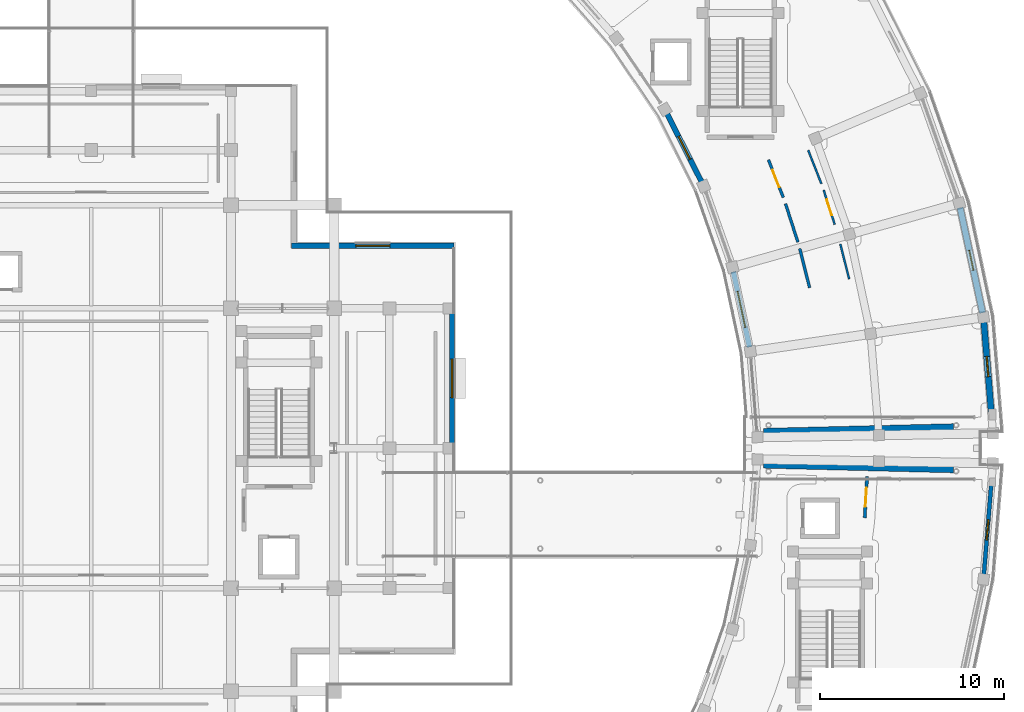
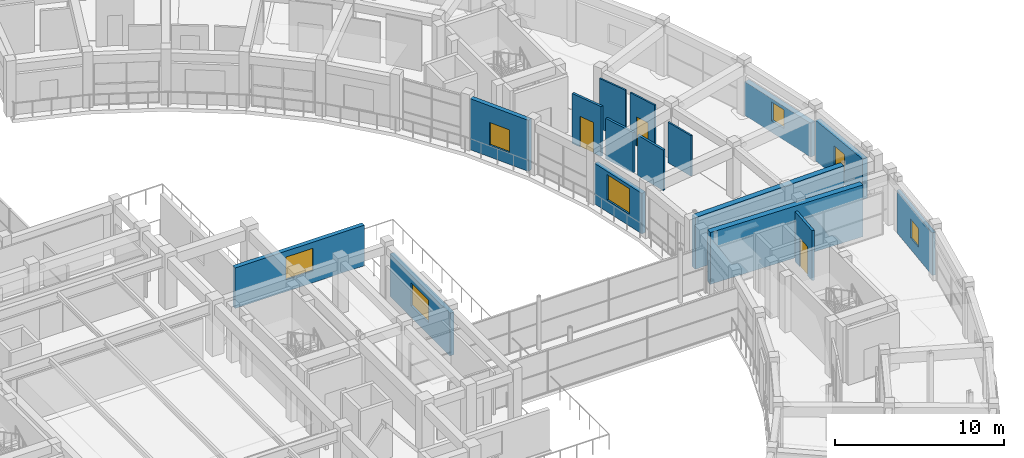
# One storey, part 51 of 72: 16 walls, 7 windows, 3 doors, 10 openings.
"""IFC4 building model written with IfcOpenShell, lengths in metres."""

from ifc_helpers import new_model, si_unit, direction, frame, frame_2d, origin, place, context, subcontext, project, spatial, rectangle, extrude, material, layer, layer_set, type_object, element, fill, save


model = new_model("IFC4")

# Units and contexts
model_context = context("Model", 3, precision=1e-05, world=origin(), true_north=direction((0.0, 1.0)))
body_context = subcontext(model_context, "Body", "Model", "MODEL_VIEW")
ifc_project = project(units=[si_unit("LENGTHUNIT", "METRE"), si_unit("AREAUNIT", "SQUARE_METRE"), si_unit("VOLUMEUNIT", "CUBIC_METRE"), si_unit("PLANEANGLEUNIT", "RADIAN"), si_unit("MASSUNIT", "GRAM", prefix="KILO")], contexts=[model_context])

# Site, building, storey
site_placement = place(None, origin())
site = spatial("IfcSite", under=ifc_project, at=site_placement, CompositionType="ELEMENT")
building_placement = place(site_placement, origin())
building = spatial("IfcBuilding", under=site, at=building_placement, Name="Saryqyr Civic Hall", CompositionType="ELEMENT")
storey_placement = place(building_placement, frame((0.0, 0.0, 17.25)))
storey = spatial("IfcBuildingStorey", under=building, at=storey_placement, Name="L04", CompositionType="ELEMENT", Elevation=17.25)

# Wall, opening, window
ifc_material_1 = material(Name="Precast concrete C40/50", Category="concrete")
ifc_layer_1 = layer(ifc_material_1, 0.219970703125, Name="Precast concrete C40/50")
ifc_layer_set_1 = layer_set([ifc_layer_1], Name="Precast concrete C40/50")
wall_type_1 = type_object("IfcWallType", Name="ENV-WAL-EXT-220", PredefinedType="STANDARD", material=ifc_layer_set_1)
wall_1_placement = place(storey_placement, frame((105.897705078125, 82.01171875, 0.0), z_axis=(0.0, 0.0, 1.0), x_axis=(-0.081149437974, -0.996701945777, 0.0)))
wall_1 = element("IfcWall", 1, at=wall_1_placement, inside=storey, type_object=wall_type_1, Name="Exterior wall V5-EWO-L04-09", PredefinedType="STANDARD", context=body_context, shape_type="SweptSolid", body=[
    extrude(rectangle(XDim=4.912841796875, YDim=0.219970703125, at=frame_2d((2.45654296875, 0.0))), origin(), (0.0, 0.0, 1.0), 3.0849609375),
])
opening_1_placement = place(wall_1_placement, frame((1.906005859375, 0.0, 0.85009765625)))
opening_1 = element("IfcOpeningElement", 2, at=opening_1_placement, cuts=wall_1, Name="Opening W-01", PredefinedType="OPENING", context=body_context, shape_type="SweptSolid", body=[
    extrude(rectangle(XDim=1.10009765625, YDim=1.35009765625, at=frame_2d((0.550048828125, 0.675048828125))), frame((0.0, 0.119873046875, 0.0), z_axis=(0.0, -1.0, 0.0), x_axis=(1.0, 0.0, 0.0)), (0.0, 0.0, 1.0), 0.239990234375),
])
ifc_material_2 = material(Name="Anodised aluminium and triple low-E glass", Category="aluminium")
window_type_1 = type_object("IfcWindowType", Name="ENV-WIN-W01", PartitioningType="SINGLE_PANEL", PredefinedType="WINDOW", material=ifc_material_2)
window_1_placement = place(opening_1_placement, origin())
window_1 = element("IfcWindow", 3, at=window_1_placement, inside=storey, type_object=window_type_1, Name="Exterior ribbon window V5-L04-09", OverallHeight=1.35009765625, OverallWidth=1.10009765625, PartitioningType="SINGLE_PANEL", PredefinedType="WINDOW", context=body_context, shape_type="SweptSolid", body=[
    extrude(rectangle(XDim=1.10009765625, YDim=1.35009765625, at=frame_2d((0.550048828125, 0.675048828125))), frame((0.0, 0.030029296875, 0.0), z_axis=(0.0, -1.0, 0.0), x_axis=(1.0, 0.0, 0.0)), (0.0, 0.0, 1.0), 0.06005859375),
])
fill(opening_1, window_1)

ifc_layer_2 = layer(ifc_material_1, 0.2900390625, Name="Precast concrete C40/50")
ifc_layer_set_2 = layer_set([ifc_layer_2], Name="Precast concrete C40/50")
wall_type_2 = type_object("IfcWallType", Name="ENV-WAL-EXT-290", PredefinedType="STANDARD", material=ifc_layer_set_2)
wall_2_placement = place(storey_placement, frame((92.765625, 89.4951171875, 0.0), z_axis=(0.0, 0.0, 1.0), x_axis=(-0.208893062569, 0.977938489073, 0.0)))
wall_2 = element("IfcWall", 4, at=wall_2_placement, inside=storey, type_object=wall_type_2, Name="Exterior wall V6-EWI-L04-01", PredefinedType="STANDARD", context=body_context, shape_type="SweptSolid", body=[
    extrude(rectangle(XDim=4.194580078125, YDim=0.2900390625, at=frame_2d((2.09716796875, 0.0))), origin(), (0.0, 0.0, 1.0), 2.93505859375),
])
opening_2_placement = place(wall_2_placement, frame((1.096923828125, 0.0, 0.85009765625)))
opening_2 = element("IfcOpeningElement", 5, at=opening_2_placement, cuts=wall_2, Name="Opening W-28", PredefinedType="OPENING", context=body_context, shape_type="SweptSolid", body=[
    extrude(rectangle(XDim=2.0, YDim=1.85009765625, at=frame_2d((1.0, 0.925048828125))), frame((0.0, 0.155029296875, 0.0), z_axis=(0.0, -1.0, 0.0), x_axis=(1.0, 0.0, 0.0)), (0.0, 0.0, 1.0), 0.31005859375),
])
window_type_2 = type_object("IfcWindowType", Name="ENV-WIN-W28", PartitioningType="SINGLE_PANEL", PredefinedType="WINDOW", material=ifc_material_2)
window_2_placement = place(opening_2_placement, origin())
window_2 = element("IfcWindow", 6, at=window_2_placement, inside=storey, type_object=window_type_2, Name="Courtyard window V6-L04-01", OverallHeight=1.85009765625, OverallWidth=2.0, PartitioningType="SINGLE_PANEL", PredefinedType="WINDOW", context=body_context, shape_type="SweptSolid", body=[
    extrude(rectangle(XDim=2.0, YDim=1.85009765625, at=frame_2d((1.0, 0.925048828125))), frame((0.0, 0.030029296875, 0.0), z_axis=(0.0, -1.0, 0.0), x_axis=(1.0, 0.0, 0.0)), (0.0, 0.0, 1.0), 0.06005859375),
])
fill(opening_2, window_2)

wall_3_placement = place(storey_placement, frame((90.162353515625, 98.475341796875, 0.0), z_axis=(0.0, 0.0, 1.0), x_axis=(-0.451915465701, 0.89206076691, 0.0)))
wall_3 = element("IfcWall", 7, at=wall_3_placement, inside=storey, type_object=wall_type_2, Name="Exterior wall V6-EWI-L04-03", PredefinedType="STANDARD", context=body_context, shape_type="SweptSolid", body=[
    extrude(rectangle(XDim=4.1484375, YDim=0.2900390625, at=frame_2d((2.07421875, 0.0))), origin(), (0.0, 0.0, 1.0), 3.699951171875),
])
opening_3_placement = place(wall_3_placement, frame((1.3740234375, 0.0, 0.85009765625)))
opening_3 = element("IfcOpeningElement", 8, at=opening_3_placement, cuts=wall_3, Name="Opening W-18", PredefinedType="OPENING", context=body_context, shape_type="SweptSolid", body=[
    extrude(rectangle(XDim=1.39990234375, YDim=1.64990234375, at=frame_2d((0.699951171875, 0.824951171875))), frame((0.0, 0.155029296875, 0.0), z_axis=(0.0, -1.0, 0.0), x_axis=(1.0, 0.0, 0.0)), (0.0, 0.0, 1.0), 0.31005859375),
])
window_type_3 = type_object("IfcWindowType", Name="ENV-WIN-W18", PartitioningType="SINGLE_PANEL", PredefinedType="WINDOW", material=ifc_material_2)
window_3_placement = place(opening_3_placement, origin())
window_3 = element("IfcWindow", 9, at=window_3_placement, inside=storey, type_object=window_type_3, Name="Courtyard window V6-L04-03", OverallHeight=1.64990234375, OverallWidth=1.39990234375, PartitioningType="SINGLE_PANEL", PredefinedType="WINDOW", context=body_context, shape_type="SweptSolid", body=[
    extrude(rectangle(XDim=1.39990234375, YDim=1.64990234375, at=frame_2d((0.699951171875, 0.824951171875))), frame((0.0, 0.030029296875, 0.0), z_axis=(0.0, -1.0, 0.0), x_axis=(1.0, 0.0, 0.0)), (0.0, 0.0, 1.0), 0.06005859375),
])
fill(opening_3, window_3)

wall_4_placement = place(storey_placement, frame((67.8798828125, 95.0, 0.0), z_axis=(0.0, 0.0, 1.0), x_axis=(1.0, 0.0, 0.0)))
wall_4 = element("IfcWall", 10, at=wall_4_placement, inside=storey, type_object=wall_type_2, Name="Exterior wall V1-EW-L04-07", PredefinedType="STANDARD", context=body_context, shape_type="SweptSolid", body=[
    extrude(rectangle(XDim=8.840087890625, YDim=0.2900390625, at=frame_2d((4.419921875, 0.0))), origin(), (0.0, 0.0, 1.0), 2.93505859375),
])
opening_4_placement = place(wall_4_placement, frame((3.4951171875, 0.0, 0.85009765625)))
opening_4 = element("IfcOpeningElement", 11, at=opening_4_placement, cuts=wall_4, Name="Opening W-20", PredefinedType="OPENING", context=body_context, shape_type="SweptSolid", body=[
    extrude(rectangle(XDim=1.85009765625, YDim=1.64990234375, at=frame_2d((0.925048828125, 0.824951171875))), frame((0.0, 0.155029296875, 0.0), z_axis=(0.0, -1.0, 0.0), x_axis=(1.0, 0.0, 0.0)), (0.0, 0.0, 1.0), 0.31005859375),
])
window_type_4 = type_object("IfcWindowType", Name="ENV-WIN-W20", PartitioningType="SINGLE_PANEL", PredefinedType="WINDOW", material=ifc_material_2)
window_4_placement = place(opening_4_placement, origin())
window_4 = element("IfcWindow", 12, at=window_4_placement, inside=storey, type_object=window_type_4, Name="Chamber cluster window L04-07", OverallHeight=1.64990234375, OverallWidth=1.85009765625, PartitioningType="SINGLE_PANEL", PredefinedType="WINDOW", context=body_context, shape_type="SweptSolid", body=[
    extrude(rectangle(XDim=1.85009765625, YDim=1.64990234375, at=frame_2d((0.925048828125, 0.824951171875))), frame((0.0, 0.030029296875, 0.0), z_axis=(0.0, -1.0, 0.0), x_axis=(1.0, 0.0, 0.0)), (0.0, 0.0, 1.0), 0.06005859375),
])
fill(opening_4, window_4)

wall_5_placement = place(storey_placement, frame((76.60009765625, 91.364990234375, 0.0), z_axis=(0.0, 0.0, 1.0), x_axis=(0.0, -1.0, 0.0)))
wall_5 = element("IfcWall", 13, at=wall_5_placement, inside=storey, type_object=wall_type_2, Name="Exterior wall V1-EW-L04-08", PredefinedType="STANDARD", context=body_context, shape_type="SweptSolid", body=[
    extrude(rectangle(XDim=7.1298828125, YDim=0.2900390625, at=frame_2d((3.56494140625, 0.0))), origin(), (0.0, 0.0, 1.0), 3.0849609375),
])
opening_5_placement = place(wall_5_placement, frame((2.514892578125, 0.0, 0.85009765625)))
opening_5 = element("IfcOpeningElement", 14, at=opening_5_placement, cuts=wall_5, Name="Opening W-21", PredefinedType="OPENING", context=body_context, shape_type="SweptSolid", body=[
    extrude(rectangle(XDim=2.10009765625, YDim=1.64990234375, at=frame_2d((1.050048828125, 0.824951171875))), frame((0.0, 0.155029296875, 0.0), z_axis=(0.0, -1.0, 0.0), x_axis=(1.0, 0.0, 0.0)), (0.0, 0.0, 1.0), 0.31005859375),
])
window_type_5 = type_object("IfcWindowType", Name="ENV-WIN-W21", PartitioningType="SINGLE_PANEL", PredefinedType="WINDOW", material=ifc_material_2)
window_5_placement = place(opening_5_placement, origin())
window_5 = element("IfcWindow", 15, at=window_5_placement, inside=storey, type_object=window_type_5, Name="Chamber cluster window L04-08", OverallHeight=1.64990234375, OverallWidth=2.10009765625, PartitioningType="SINGLE_PANEL", PredefinedType="WINDOW", context=body_context, shape_type="SweptSolid", body=[
    extrude(rectangle(XDim=2.10009765625, YDim=1.64990234375, at=frame_2d((1.050048828125, 0.824951171875))), frame((0.0, 0.030029296875, 0.0), z_axis=(0.0, -1.0, 0.0), x_axis=(1.0, 0.0, 0.0)), (0.0, 0.0, 1.0), 0.06005859375),
])
fill(opening_5, window_5)

ifc_layer_3 = layer(ifc_material_1, 0.340087890625, Name="Precast concrete C40/50")
ifc_layer_set_3 = layer_set([ifc_layer_3], Name="Precast concrete C40/50")
wall_type_3 = type_object("IfcWallType", Name="ENV-WAL-EXT-340", PredefinedType="STANDARD", material=ifc_layer_set_3)
wall_6_placement = place(storey_placement, frame((105.4990234375, 90.885009765625, 0.0), z_axis=(0.0, 0.0, 1.0), x_axis=(0.081149437974, -0.996701945777, 0.0)))
wall_6 = element("IfcWall", 16, at=wall_6_placement, inside=storey, type_object=wall_type_3, Name="Exterior wall V6-EWO-L04-00", PredefinedType="STANDARD", context=body_context, shape_type="SweptSolid", body=[
    extrude(rectangle(XDim=4.912841796875, YDim=0.340087890625, at=frame_2d((2.45654296875, 0.0))), origin(), (0.0, 0.0, 1.0), 2.93505859375),
])
opening_6_placement = place(wall_6_placement, frame((1.906005859375, 0.0, 0.85009765625)))
opening_6 = element("IfcOpeningElement", 17, at=opening_6_placement, cuts=wall_6, Name="Opening W-01", PredefinedType="OPENING", context=body_context, shape_type="SweptSolid", body=[
    extrude(rectangle(XDim=1.10009765625, YDim=1.35009765625, at=frame_2d((0.550048828125, 0.675048828125))), frame((0.0, 0.179931640625, 0.0), z_axis=(0.0, -1.0, 0.0), x_axis=(1.0, 0.0, 0.0)), (0.0, 0.0, 1.0), 0.360107421875),
])
window_6_placement = place(opening_6_placement, origin())
window_6 = element("IfcWindow", 18, at=window_6_placement, inside=storey, type_object=window_type_1, Name="Exterior ribbon window V6-L04-00", OverallHeight=1.35009765625, OverallWidth=1.10009765625, PartitioningType="SINGLE_PANEL", PredefinedType="WINDOW", context=body_context, shape_type="SweptSolid", body=[
    extrude(rectangle(XDim=1.10009765625, YDim=1.35009765625, at=frame_2d((0.550048828125, 0.675048828125))), frame((0.0, 0.030029296875, 0.0), z_axis=(0.0, -1.0, 0.0), x_axis=(1.0, 0.0, 0.0)), (0.0, 0.0, 1.0), 0.06005859375),
])
fill(opening_6, window_6)

wall_7_placement = place(storey_placement, frame((104.208251953125, 97.07373046875, 0.0), z_axis=(0.0, 0.0, 1.0), x_axis=(0.208873267346, -0.977942717233, 0.0)))
wall_7 = element("IfcWall", 19, at=wall_7_placement, inside=storey, type_object=wall_type_3, Name="Exterior wall V6-EWO-L04-01", PredefinedType="STANDARD", context=body_context, shape_type="SweptSolid", body=[
    extrude(rectangle(XDim=5.84765625, YDim=0.340087890625, at=frame_2d((2.923828125, 0.0))), origin(), (0.0, 0.0, 1.0), 2.449951171875),
])
opening_7_placement = place(wall_7_placement, frame((2.3740234375, 0.0, 0.85009765625)))
opening_7 = element("IfcOpeningElement", 20, at=opening_7_placement, cuts=wall_7, Name="Opening W-01", PredefinedType="OPENING", context=body_context, shape_type="SweptSolid", body=[
    extrude(rectangle(XDim=1.10009765625, YDim=1.35009765625, at=frame_2d((0.550048828125, 0.675048828125))), frame((0.0, 0.179931640625, 0.0), z_axis=(0.0, -1.0, 0.0), x_axis=(1.0, 0.0, 0.0)), (0.0, 0.0, 1.0), 0.360107421875),
])
window_7_placement = place(opening_7_placement, origin())
window_7 = element("IfcWindow", 21, at=window_7_placement, inside=storey, type_object=window_type_1, Name="Exterior ribbon window V6-L04-01", OverallHeight=1.35009765625, OverallWidth=1.10009765625, PartitioningType="SINGLE_PANEL", PredefinedType="WINDOW", context=body_context, shape_type="SweptSolid", body=[
    extrude(rectangle(XDim=1.10009765625, YDim=1.35009765625, at=frame_2d((0.550048828125, 0.675048828125))), frame((0.0, 0.030029296875, 0.0), z_axis=(0.0, -1.0, 0.0), x_axis=(1.0, 0.0, 0.0)), (0.0, 0.0, 1.0), 0.06005859375),
])
fill(opening_7, window_7)

# Walls
ifc_material_3 = material(Name="Concrete C40/50", Category="concrete")
ifc_layer_4 = layer(ifc_material_3, 0.3798828125, Name="Concrete C40/50")
ifc_layer_set_4 = layer_set([ifc_layer_4], Name="Concrete C40/50")
wall_type_4 = type_object("IfcWallType", Name="ENV-WAL-PTY-380", PredefinedType="SHEAR", material=ifc_layer_set_4)
for number, where, z_axis, x_axis, name in (
    (22, (93.5390625, 83.10693359375, 0.0), (0.0, 0.0, 1.0), (0.999701591947, -0.024427997417, 0.0), "Exterior wall V5-JNTW-B-L04"),
    (23, (103.85009765625, 85.14501953125, 0.0), (0.0, 0.0, 1.0), (-0.999701591947, -0.024427997417, 0.0), "Exterior wall V6-JNTW-A-L04"),
):
    element("IfcWall", number, at=place(storey_placement, frame(where, z_axis=z_axis, x_axis=x_axis)), inside=storey, type_object=wall_type_4, Name=name, PredefinedType="SHEAR", context=body_context, shape_type="SweptSolid", body=[
        extrude(rectangle(XDim=10.314208984375, YDim=0.3798828125, at=frame_2d((5.1572265625, 0.0))), origin(), (0.0, 0.0, 1.0), 3.75),
    ])

# Wall, opening, door
ifc_material_4 = material(Name="Moisture-resistant gypsum partition", Category="gypsum")
ifc_layer_5 = layer(ifc_material_4, 0.110107421875, Name="Moisture-resistant gypsum partition")
ifc_layer_set_5 = layer_set([ifc_layer_5], Name="Moisture-resistant gypsum partition")
wall_type_5 = type_object("IfcWallType", Name="INT-WAL-PRT-110", PredefinedType="PARTITIONING", material=ifc_layer_set_5)
wall_8_placement = place(storey_placement, frame((97.396728515625, 96.155517578125, 0.0), z_axis=(0.0, 0.0, 1.0), x_axis=(-0.306193985411, 0.951969139887, 0.0)))
wall_8 = element("IfcWall", 24, at=wall_8_placement, inside=storey, type_object=wall_type_5, Name="Interior partition PRT-SP-V6-L04-R01-W1", PredefinedType="PARTITIONING", context=body_context, shape_type="SweptSolid", body=[
    extrude(rectangle(XDim=1.967041015625, YDim=0.110107421875, at=frame_2d((0.9833984375, 0.0))), origin(), (0.0, 0.0, 1.0), 3.6201171875),
])
opening_8_placement = place(wall_8_placement, frame((0.532958984375, 0.0, 0.0)))
opening_8 = element("IfcOpeningElement", 25, at=opening_8_placement, cuts=wall_8, Name="Opening D-01", PredefinedType="OPENING", context=body_context, shape_type="SweptSolid", body=[
    extrude(rectangle(XDim=0.89990234375, YDim=2.10009765625, at=frame_2d((0.449951171875, 1.050048828125))), frame((0.0, 0.06494140625, 0.0), z_axis=(0.0, -1.0, 0.0), x_axis=(1.0, 0.0, 0.0)), (0.0, 0.0, 1.0), 0.130126953125),
])
ifc_material_5 = material(Name="Acoustic solid-core oak veneer", Category="wood")
door_type_1 = type_object("IfcDoorType", Name="INT-DR-D-01", OperationType="NOTDEFINED", PredefinedType="DOOR", material=ifc_material_5)
door_1_placement = place(opening_8_placement, origin())
door_1 = element("IfcDoor", 26, at=door_1_placement, inside=storey, type_object=door_type_1, Name="Interior door Deputy Mayors' Executive Offices", OperationType="SINGLE_SWING_RIGHT", OverallHeight=2.10009765625, OverallWidth=0.89990234375, PredefinedType="DOOR", context=body_context, shape_type="SweptSolid", body=[
    extrude(rectangle(XDim=0.89990234375, YDim=2.10009765625, at=frame_2d((0.449951171875, 1.050048828125))), frame((0.0, 0.02490234375, 0.0), z_axis=(0.0, -1.0, 0.0), x_axis=(1.0, 0.0, 0.0)), (0.0, 0.0, 1.0), 0.050048828125),
])
fill(opening_8, door_1)

# Walls
wall_9_placement = place(storey_placement, frame((96.67333984375, 98.366943359375, 0.0), z_axis=(0.0, 0.0, 1.0), x_axis=(-0.366420321181, 0.93044943346, 0.0)))
element("IfcWall", 27, at=wall_9_placement, inside=storey, type_object=wall_type_5, Name="Interior partition PRT-SP-V6-L04-R01-W2", PredefinedType="PARTITIONING", context=body_context, shape_type="SweptSolid", body=[
    extrude(rectangle(XDim=1.966796875, YDim=0.110107421875, at=frame_2d((0.9833984375, 0.0))), origin(), (0.0, 0.0, 1.0), 3.6201171875),
])
wall_10_placement = place(storey_placement, frame((98.181396484375, 93.19140625, 0.0), z_axis=(0.0, 0.0, 1.0), x_axis=(-0.244871130076, 0.969555635152, 0.0)))
element("IfcWall", 28, at=wall_10_placement, inside=storey, type_object=wall_type_5, Name="Interior partition PRT-SP-V6-L04-R01-W3", PredefinedType="PARTITIONING", context=body_context, shape_type="SweptSolid", body=[
    extrude(rectangle(XDim=1.967041015625, YDim=0.110107421875, at=frame_2d((0.9833984375, 0.0))), origin(), (0.0, 0.0, 1.0), 2.93505859375),
])

# Wall, opening, door
ifc_material_6 = material(Name="Acoustic double-stud gypsum board", Category="gypsum")
ifc_layer_6 = layer(ifc_material_6, 0.155029296875, Name="Acoustic double-stud gypsum board")
ifc_layer_set_6 = layer_set([ifc_layer_6], Name="Acoustic double-stud gypsum board")
wall_type_6 = type_object("IfcWallType", Name="INT-WAL-PRT-155", PredefinedType="PARTITIONING", material=ifc_layer_set_6)
wall_11_placement = place(storey_placement, frame((93.796875, 99.67041015625, 0.0), z_axis=(0.0, 0.0, 1.0), x_axis=(0.366364143448, -0.930471554856, 0.0)))
wall_11 = element("IfcWall", 29, at=wall_11_placement, inside=storey, type_object=wall_type_6, Name="Interior partition PRT-SP-V6-L04-R04-W1", PredefinedType="PARTITIONING", context=body_context, shape_type="SweptSolid", body=[
    extrude(rectangle(XDim=2.196533203125, YDim=0.155029296875, at=frame_2d((1.09814453125, 0.0))), origin(), (0.0, 0.0, 1.0), 3.6201171875),
])
opening_9_placement = place(wall_11_placement, frame((0.597900390625, 0.0, 0.0)))
opening_9 = element("IfcOpeningElement", 30, at=opening_9_placement, cuts=wall_11, Name="Opening D-10", PredefinedType="OPENING", context=body_context, shape_type="SweptSolid", body=[
    extrude(rectangle(XDim=1.0, YDim=2.219970703125, at=frame_2d((0.5, 1.10986328125))), frame((0.0, 0.08740234375, 0.0), z_axis=(0.0, -1.0, 0.0), x_axis=(1.0, 0.0, 0.0)), (0.0, 0.0, 1.0), 0.175048828125),
])
door_type_2 = type_object("IfcDoorType", Name="INT-DR-D-10", OperationType="NOTDEFINED", PredefinedType="DOOR", material=ifc_material_5)
door_2_placement = place(opening_9_placement, origin())
door_2 = element("IfcDoor", 31, at=door_2_placement, inside=storey, type_object=door_type_2, Name="Interior door Cabinet Briefing & Strategy Room", OperationType="SINGLE_SWING_LEFT", OverallHeight=2.219970703125, OverallWidth=1.0, PredefinedType="DOOR", context=body_context, shape_type="SweptSolid", body=[
    extrude(rectangle(XDim=1.0, YDim=2.219970703125, at=frame_2d((0.5, 1.10986328125))), frame((0.0, 0.02490234375, 0.0), z_axis=(0.0, -1.0, 0.0), x_axis=(1.0, 0.0, 0.0)), (0.0, 0.0, 1.0), 0.050048828125),
])
fill(opening_9, door_2)

# Walls
for number, where, z_axis, x_axis, name in (
    (32, (94.72265625, 97.287841796875, 0.0), (0.0, 0.0, 1.0), (0.306340182121, -0.951922104386, 0.0), "Interior partition PRT-SP-V6-L04-R04-W2"),
    (33, (95.49462890625, 94.85107421875, 0.0), (0.0, 0.0, 1.0), (0.244627176871, -0.969617215367, 0.0), "Interior partition PRT-SP-V6-L04-R04-W3"),
):
    element("IfcWall", number, at=place(storey_placement, frame(where, z_axis=z_axis, x_axis=x_axis)), inside=storey, type_object=wall_type_6, Name=name, PredefinedType="PARTITIONING", context=body_context, shape_type="SweptSolid", body=[
        extrude(rectangle(XDim=2.196533203125, YDim=0.155029296875, at=frame_2d((1.09814453125, 0.0))), origin(), (0.0, 0.0, 1.0), 2.93505859375),
    ])

# Wall, opening, door
ifc_layer_7 = layer(ifc_material_6, 0.169921875, Name="Acoustic double-stud gypsum board")
ifc_layer_set_7 = layer_set([ifc_layer_7], Name="Acoustic double-stud gypsum board")
wall_type_7 = type_object("IfcWallType", Name="INT-WAL-PRT-170", PredefinedType="PARTITIONING", material=ifc_layer_set_7)
wall_12_placement = place(storey_placement, frame((99.02490234375, 80.223876953125, 0.0), z_axis=(0.0, 0.0, 1.0), x_axis=(0.058613248542, 0.998280765664, 0.0)))
wall_12 = element("IfcWall", 34, at=wall_12_placement, inside=storey, type_object=wall_type_7, Name="Interior partition PRT-SP-V5-L04-R03-W1", PredefinedType="PARTITIONING", context=body_context, shape_type="SweptSolid", body=[
    extrude(rectangle(XDim=2.23681640625, YDim=0.169921875, at=frame_2d((1.118408203125, 0.0))), origin(), (0.0, 0.0, 1.0), 3.6201171875),
])
opening_10_placement = place(wall_12_placement, frame((0.593017578125, 0.0, 0.0)))
opening_10 = element("IfcOpeningElement", 35, at=opening_10_placement, cuts=wall_12, Name="Opening D-04", PredefinedType="OPENING", context=body_context, shape_type="SweptSolid", body=[
    extrude(rectangle(XDim=1.050048828125, YDim=2.10009765625, at=frame_2d((0.52490234375, 1.050048828125))), frame((0.0, 0.094970703125, 0.0), z_axis=(0.0, -1.0, 0.0), x_axis=(1.0, 0.0, 0.0)), (0.0, 0.0, 1.0), 0.18994140625),
])
door_type_3 = type_object("IfcDoorType", Name="INT-DR-D-04", OperationType="NOTDEFINED", PredefinedType="DOOR", material=ifc_material_5)
door_3_placement = place(opening_10_placement, origin())
door_3 = element("IfcDoor", 36, at=door_3_placement, inside=storey, type_object=door_type_3, Name="Interior door Staff & Accessible MGN WC L04-E", OperationType="SINGLE_SWING_LEFT", OverallHeight=2.10009765625, OverallWidth=1.050048828125, PredefinedType="DOOR", context=body_context, shape_type="SweptSolid", body=[
    extrude(rectangle(XDim=1.050048828125, YDim=2.10009765625, at=frame_2d((0.52490234375, 1.050048828125))), frame((0.0, 0.02490234375, 0.0), z_axis=(0.0, -1.0, 0.0), x_axis=(1.0, 0.0, 0.0)), (0.0, 0.0, 1.0), 0.050048828125),
])
fill(opening_10, door_3)

save(model, "model.ifc")
